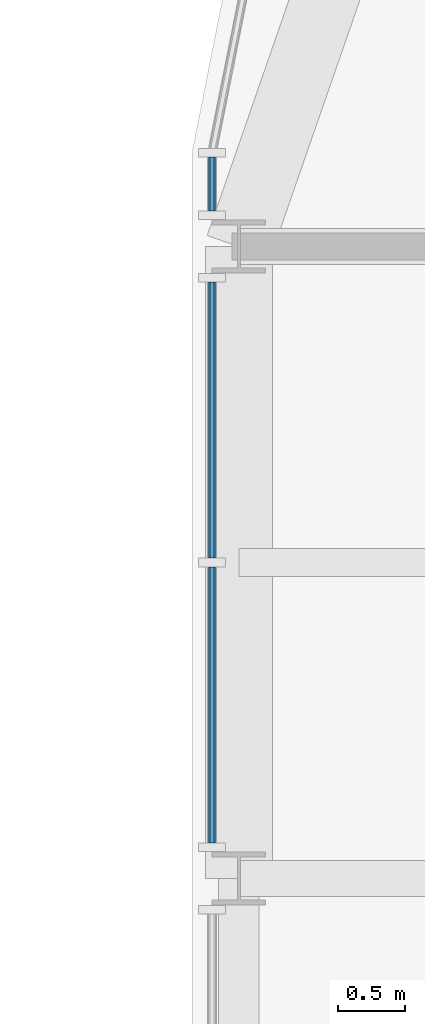
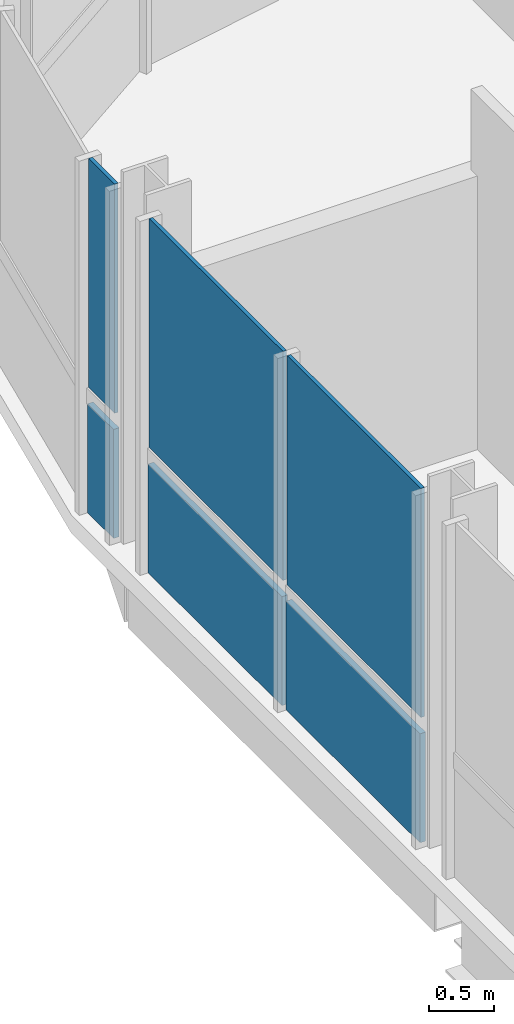
# One storey, part 9 of 17: 6 plates, 2 elements without a shape of their own.
"""IFC4 building model written with IfcOpenShell, lengths in metres."""

from ifc_helpers import new_model, si_unit, direction, frame, origin, origin_2d, place, context, subcontext, project, spatial, rectangle, extrude, material, layer, layer_set, type_object, element, aggregate, save


model = new_model("IFC4")

# Units and contexts
model_context = context("Model", 3, precision=1e-05, world=origin(), true_north=direction((0.0, 1.0)))
body_context = subcontext(model_context, "Body", "Model", "MODEL_VIEW")
ifc_project = project(units=[si_unit("LENGTHUNIT", "METRE"), si_unit("AREAUNIT", "SQUARE_METRE"), si_unit("VOLUMEUNIT", "CUBIC_METRE"), si_unit("PLANEANGLEUNIT", "RADIAN"), si_unit("MASSUNIT", "GRAM", prefix="KILO")], contexts=[model_context])

# Site, building, storey
site_placement = place(None, origin())
site = spatial("IfcSite", under=ifc_project, at=site_placement, CompositionType="ELEMENT")
building_placement = place(site_placement, origin())
building = spatial("IfcBuilding", under=site, at=building_placement, Name="Turquesa Mirador Hotel Tower", CompositionType="ELEMENT")
storey_placement = place(building_placement, frame((0.0, 0.0, 247.699951171875)))
storey = spatial("IfcBuildingStorey", under=building, at=storey_placement, Name="L67", CompositionType="ELEMENT", Elevation=247.699951171875)

# Curtain wall, plate
ifc_material_1 = material(Name="Aluminium extrusion", Category="aluminium")
curtain_wall_type = type_object("IfcCurtainWallType", Name="CW-4 SUITE FRITTED CURTAIN WALL", PredefinedType="USERDEFINED", material=ifc_material_1)
curtain_wall_1_placement = place(storey_placement, origin())
curtain_wall_1 = element("IfcCurtainWall", 1, at=curtain_wall_1_placement, inside=storey, type_object=curtain_wall_type, Name="CW-4 SUITE FRITTED CURTAIN WALL L67", ObjectType="CURTAIN WALL", PredefinedType="USERDEFINED")
ifc_material_2 = material(Name="Ceramic-printed spandrel glass on an insulated back pan", Category="glass")
ifc_layer_1 = layer(ifc_material_2, 0.050048828125)
ifc_layer_set_1 = layer_set([ifc_layer_1], Name="CW PANEL SPANDREL CERAMIC")
plate_type_1 = type_object("IfcPlateType", Name="CW PANEL SPANDREL CERAMIC", PredefinedType="CURTAIN_PANEL", material=ifc_layer_set_1)
plate_1_placement = place(storey_placement, frame((37.14990234375, 57.266845703125, 0.0), z_axis=(0.0, 0.0, 1.0), x_axis=(0.0, -1.0, 0.0)))
plate_1 = element("IfcPlate", 2, at=plate_1_placement, type_object=plate_type_1, Name="Panel", PredefinedType="CURTAIN_PANEL", context=body_context, shape_type="SweptSolid", body=[
    extrude(rectangle(XDim=0.401123046875, YDim=0.050048828125, at=origin_2d()), origin(), (0.0, 0.0, 1.0), 1.02490234375),
])

# Curtain wall, plates
curtain_wall_2_placement = place(storey_placement, origin())
curtain_wall_2 = element("IfcCurtainWall", 3, at=curtain_wall_2_placement, inside=storey, type_object=curtain_wall_type, Name="CW-4 SUITE FRITTED CURTAIN WALL L67", ObjectType="CURTAIN WALL", PredefinedType="USERDEFINED")
plate_2_placement = place(storey_placement, frame((37.14990234375, 55.503173828125, 0.0), z_axis=(0.0, 0.0, 1.0), x_axis=(0.0, -1.0, 0.0)))
plate_2 = element("IfcPlate", 4, at=plate_2_placement, type_object=plate_type_1, Name="Panel", PredefinedType="CURTAIN_PANEL", context=body_context, shape_type="SweptSolid", body=[
    extrude(rectangle(XDim=2.06103515625, YDim=0.050048828125, at=origin_2d()), origin(), (0.0, 0.0, 1.0), 1.02490234375),
])
plate_3_placement = place(storey_placement, frame((37.14990234375, 53.376953125, 0.0), z_axis=(0.0, 0.0, 1.0), x_axis=(0.0, -1.0, 0.0)))
plate_3 = element("IfcPlate", 5, at=plate_3_placement, type_object=plate_type_1, Name="Panel", PredefinedType="CURTAIN_PANEL", context=body_context, shape_type="SweptSolid", body=[
    extrude(rectangle(XDim=2.06103515625, YDim=0.050048828125, at=origin_2d()), origin(), (0.0, 0.0, 1.0), 1.02490234375),
])

# Plate
ifc_material_3 = material(Name="Ceramic-fritted laminated glass", Category="glass")
ifc_layer_2 = layer(ifc_material_3, 0.031982421875)
ifc_layer_set_2 = layer_set([ifc_layer_2], Name="CW PANEL VISION FRITTED")
plate_type_2 = type_object("IfcPlateType", Name="CW PANEL VISION FRITTED", PredefinedType="CURTAIN_PANEL", material=ifc_layer_set_2)
plate_4_placement = place(storey_placement, frame((37.14990234375, 57.266845703125, 1.1748046875), z_axis=(0.0, 0.0, 1.0), x_axis=(0.0, -1.0, 0.0)))
plate_4 = element("IfcPlate", 6, at=plate_4_placement, type_object=plate_type_2, Name="Panel", PredefinedType="CURTAIN_PANEL", context=body_context, shape_type="SweptSolid", body=[
    extrude(rectangle(XDim=0.401123046875, YDim=0.031982421875, at=origin_2d()), origin(), (0.0, 0.0, 1.0), 2.155029296875),
])

aggregate(curtain_wall_1, [plate_1, plate_4])

plate_5_placement = place(storey_placement, frame((37.14990234375, 55.503173828125, 1.1748046875), z_axis=(0.0, 0.0, 1.0), x_axis=(0.0, -1.0, 0.0)))
plate_5 = element("IfcPlate", 7, at=plate_5_placement, type_object=plate_type_2, Name="Panel", PredefinedType="CURTAIN_PANEL", context=body_context, shape_type="SweptSolid", body=[
    extrude(rectangle(XDim=2.06103515625, YDim=0.031982421875, at=origin_2d()), origin(), (0.0, 0.0, 1.0), 2.155029296875),
])

plate_6_placement = place(storey_placement, frame((37.14990234375, 53.376953125, 1.1748046875), z_axis=(0.0, 0.0, 1.0), x_axis=(0.0, -1.0, 0.0)))
plate_6 = element("IfcPlate", 8, at=plate_6_placement, type_object=plate_type_2, Name="Panel", PredefinedType="CURTAIN_PANEL", context=body_context, shape_type="SweptSolid", body=[
    extrude(rectangle(XDim=2.06103515625, YDim=0.031982421875, at=origin_2d()), origin(), (0.0, 0.0, 1.0), 2.155029296875),
])

aggregate(curtain_wall_2, [plate_2, plate_5, plate_3, plate_6])

save(model, "model.ifc")
